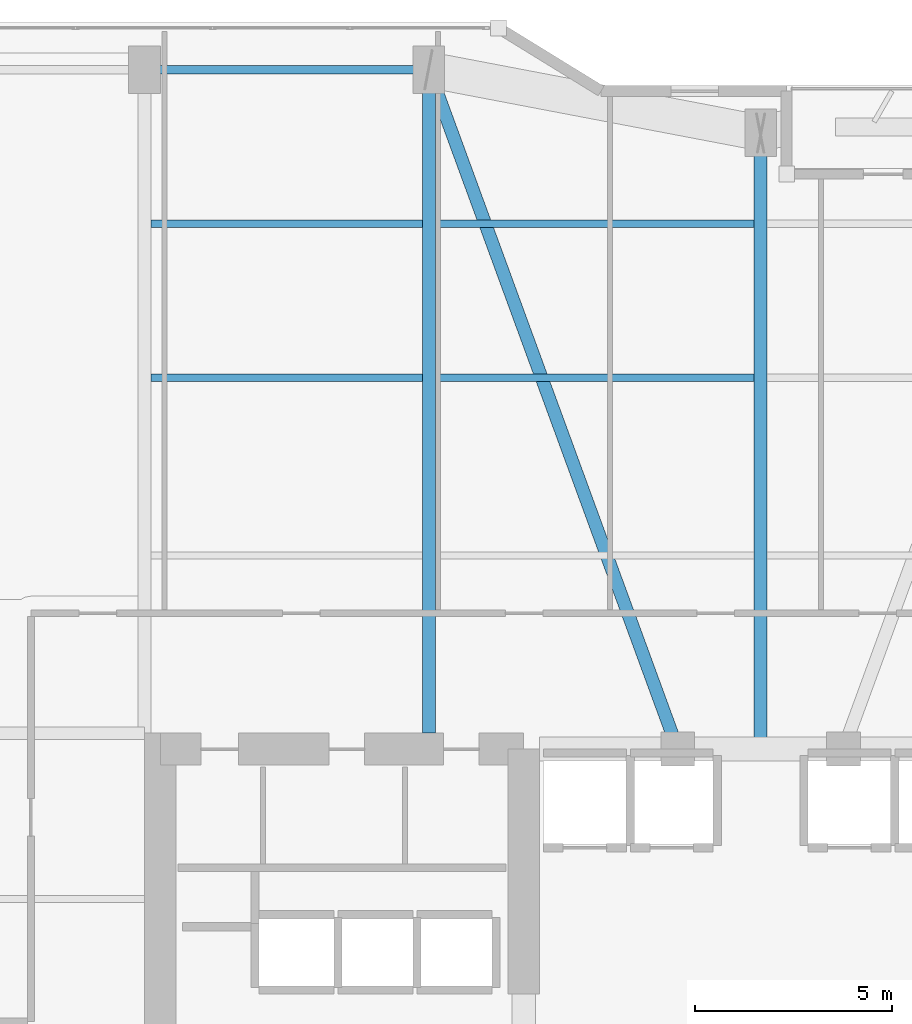
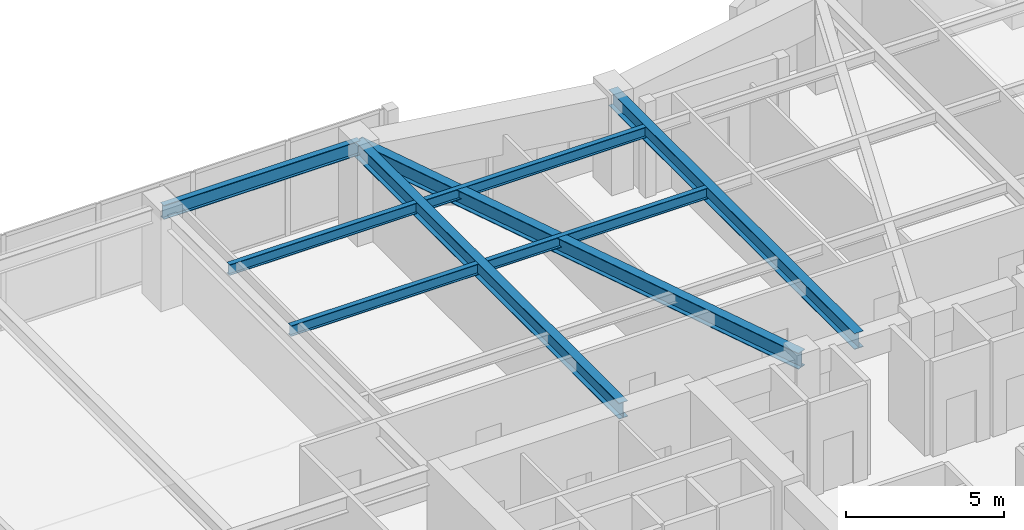
# One storey, part 18 of 30: 8 beams.
"""IFC4 building model written with IfcOpenShell, lengths in metres."""

import ifcopenshell
import ifcopenshell.guid

model = None  # the IFC model being written
_history = None  # IfcOwnerHistory: only IFC2X3 demands one
_inside = {}  # id of a spatial element -> (the spatial element, [elements in it])
_under = {}  # id of a project, library or spatial element -> (it, [spatial elements below it])
_declared = {}  # id of a project -> (the project, [libraries it declares])
_typed = {}  # id of a type object -> (the type object, [elements of that type])
_made_of = {}  # id of a material, layer set ... -> (it, [elements and type objects made of it])


def new_model(schema):
    """Start an empty IFC model of exactly this schema.

    Asked for "IFC4X3", IfcOpenShell would pick the latest addendum, in which some entities
    have other attributes; the version numbers below select the first issue.
    IFC2X3 requires an IfcOwnerHistory on every rooted entity: one is made here for all.
    """
    global model, _history
    if schema == "IFC4X3":
        model = ifcopenshell.file(schema_version=(4, 3, 0, 0))
    else:
        model = ifcopenshell.file(schema=schema)
    _inside.clear()
    _under.clear()
    _declared.clear()
    _typed.clear()
    _made_of.clear()
    _history = None
    if model.schema == "IFC2X3":
        org = make("IfcOrganization", Name="unknown")
        user = make(
            "IfcPersonAndOrganization",
            ThePerson=make("IfcPerson", FamilyName="unknown"),
            TheOrganization=org,
        )
        app = make(
            "IfcApplication",
            ApplicationDeveloper=org,
            Version="unknown",
            ApplicationFullName="unknown",
            ApplicationIdentifier="unknown",
        )
        _history = make(
            "IfcOwnerHistory",
            OwningUser=user,
            OwningApplication=app,
            ChangeAction="ADDED",
            CreationDate=0,
        )
    return model


def make(cls, **values):
    """One entity of the class cls with the attributes given. An attribute that is None is left unset."""
    return model.create_entity(
        cls, **{name: value for name, value in values.items() if value is not None}
    )


def rooted(cls, **values):
    """An entity with a GlobalId (a new one), such as an element, a storey or a relation."""
    return make(cls, GlobalId=ifcopenshell.guid.new(), OwnerHistory=_history, **values)


def si_unit(unit_type, name, prefix=None):
    """IfcSIUnit, for example si_unit("LENGTHUNIT", "METRE", prefix="MILLI")."""
    return make("IfcSIUnit", UnitType=unit_type, Prefix=prefix, Name=name)


def assignment(units):
    """IfcUnitAssignment: the units of a project."""
    return None if units is None else make("IfcUnitAssignment", Units=units)


def point(xyz):
    """IfcCartesianPoint."""
    return None if xyz is None else make("IfcCartesianPoint", Coordinates=xyz)


def direction(xyz):
    """IfcDirection."""
    return None if xyz is None else make("IfcDirection", DirectionRatios=xyz)


def frame(location, z_axis=None, x_axis=None):
    """IfcAxis2Placement3D, a coordinate frame: its origin and axes. An axis left out is left unset."""
    return make(
        "IfcAxis2Placement3D",
        Location=point(location),
        Axis=direction(z_axis),
        RefDirection=direction(x_axis),
    )


def frame_2d(location, x_axis=None):
    """IfcAxis2Placement2D, a coordinate frame in the plane: its origin and x axis."""
    return make(
        "IfcAxis2Placement2D", Location=point(location), RefDirection=direction(x_axis)
    )


def origin():
    """The frame at (0, 0, 0) with its axes left unset."""
    return frame((0.0, 0.0, 0.0))


def origin_2d():
    """The frame at (0, 0) in the plane with its x axis left unset."""
    return frame_2d((0.0, 0.0))


def place(relative_to, where):
    """IfcLocalPlacement: puts the frame where relative to a parent placement (None: the world)."""
    return make(
        "IfcLocalPlacement", PlacementRelTo=relative_to, RelativePlacement=where
    )


def context(
    kind, dimensions, precision=None, world=None, true_north=None, identifier=None
):
    """IfcGeometricRepresentationContext, for example the 3D "Model" context."""
    return make(
        "IfcGeometricRepresentationContext",
        ContextIdentifier=identifier,
        ContextType=kind,
        CoordinateSpaceDimension=dimensions,
        Precision=precision,
        WorldCoordinateSystem=world,
        TrueNorth=true_north,
    )


def subcontext(parent, identifier, kind, view, scale=None):
    """IfcGeometricRepresentationSubContext, for example "Body" below "Model"."""
    return make(
        "IfcGeometricRepresentationSubContext",
        ContextIdentifier=identifier,
        ContextType=kind,
        ParentContext=parent,
        TargetScale=scale,
        TargetView=view,
    )


def project(units=None, contexts=None):
    """IfcProject with its units and contexts."""
    return rooted(
        "IfcProject",
        Name="project",
        RepresentationContexts=contexts,
        UnitsInContext=assignment(units),
    )


def spatial(cls, under=None, at=None, **own):
    """A site, building, storey or space (cls), placed at a placement, below another one or the project."""
    s = rooted(cls, ObjectPlacement=at, **own)
    if under is not None:
        _under.setdefault(under.id(), (under, []))[1].append(s)
    return s


def profile(cls, at=None, kind="AREA", **sizes):
    """A parametric profile (cls). Its sizes go by their IFC names, for example OverallWidth=200.0."""
    return make(cls, ProfileType=kind, Position=at, **sizes)


def i_section(**sizes):
    """IfcIShapeProfileDef."""
    return profile("IfcIShapeProfileDef", **sizes)


def extrude(swept, where, along, depth):
    """IfcExtrudedAreaSolid: the profile swept, set in the frame where, extruded along a direction by depth."""
    return make(
        "IfcExtrudedAreaSolid",
        SweptArea=swept,
        Position=where,
        ExtrudedDirection=direction(along),
        Depth=depth,
    )


def shape(context_of_items, identifier, shape_type, items):
    """IfcShapeRepresentation: the items that make up one representation, for example the "Body"."""
    return make(
        "IfcShapeRepresentation",
        ContextOfItems=context_of_items,
        RepresentationIdentifier=identifier,
        RepresentationType=shape_type,
        Items=items,
    )


def material(Name=None, Category=None):
    """IfcMaterial."""
    return make("IfcMaterial", Name=Name, Category=Category)


def material_profile(
    of_material, cross_section, Name=None, Category=None, Priority=None
):
    """IfcMaterialProfile: a cross section and its material."""
    return make(
        "IfcMaterialProfile",
        Name=Name,
        Material=of_material,
        Profile=cross_section,
        Priority=Priority,
        Category=Category,
    )


def profile_set(profiles, Name=None, composite=None):
    """IfcMaterialProfileSet."""
    return make(
        "IfcMaterialProfileSet",
        Name=Name,
        MaterialProfiles=profiles,
        CompositeProfile=composite,
    )


def made_of(thing, what):
    """Note that an element or type object is made of a material, layer set ...; save() writes the relation."""
    if what is not None:
        _made_of.setdefault(what.id(), (what, []))[1].append(thing)
    return thing


def type_object(cls, material=None, **own):
    """A type object (cls), such as IfcWallType, which elements share."""
    return made_of(rooted(cls, **own), material)


def element(
    cls,
    number,
    at=None,
    inside=None,
    cuts=None,
    type_object=None,
    material=None,
    context=None,
    identifier="Body",
    shape_type=None,
    held_by="IfcProductDefinitionShape",
    body=None,
    shapes=None,
    **own,
):
    """One element of the class cls, such as IfcWall. Its Tag is "e" and its number.

    at: its placement. inside: the storey or other place that contains it. cuts: it is an
    opening in that element (IfcRelVoidsElement). A single representation is given by context,
    identifier, shape_type and body (its items); several are given by shapes. held_by: the class
    of the entity that holds the representations. save() writes the other relations.
    """
    e = rooted(cls, Tag="e%d" % number, ObjectPlacement=at, **own)
    if body is not None:
        shapes = [shape(context, identifier, shape_type, body)]
    if shapes is not None:
        e.Representation = make(held_by, Representations=shapes)
    if inside is not None:
        _inside.setdefault(inside.id(), (inside, []))[1].append(e)
    if cuts is not None:
        rooted(
            "IfcRelVoidsElement", RelatingBuildingElement=cuts, RelatedOpeningElement=e
        )
    if type_object is not None:
        _typed.setdefault(type_object.id(), (type_object, []))[1].append(e)
    return made_of(e, material)


def aggregate(whole, parts):
    """IfcRelAggregates: a whole, such as a stair, and the parts it consists of."""
    return rooted("IfcRelAggregates", RelatingObject=whole, RelatedObjects=parts)


def save(model, path):
    """Write the relations noted so far, then the file.

    IfcRelAggregates (storeys below a building ...), IfcRelContainedInSpatialStructure (elements
    in a storey), IfcRelDefinesByType, IfcRelAssociatesMaterial and IfcRelDeclares: one each for
    every whole, place, type object, material and project.
    """
    for whole, parts in _under.values():
        aggregate(whole, parts)
    for where, things in _inside.values():
        rooted(
            "IfcRelContainedInSpatialStructure",
            RelatedElements=things,
            RelatingStructure=where,
        )
    for kind, things in _typed.values():
        rooted("IfcRelDefinesByType", RelatedObjects=things, RelatingType=kind)
    for what, things in _made_of.values():
        rooted("IfcRelAssociatesMaterial", RelatedObjects=things, RelatingMaterial=what)
    for by, libraries in _declared.values():
        rooted("IfcRelDeclares", RelatingContext=by, RelatedDefinitions=libraries)
    model.write(path)


model = new_model("IFC4")

# Units and contexts
model_context = context("Model", 3, precision=1e-05, world=origin(), true_north=direction((0.0, 1.0)))
body_context = subcontext(model_context, "Body", "Model", "MODEL_VIEW")
ifc_project = project(units=[si_unit("LENGTHUNIT", "METRE"), si_unit("AREAUNIT", "SQUARE_METRE"), si_unit("VOLUMEUNIT", "CUBIC_METRE"), si_unit("PLANEANGLEUNIT", "RADIAN"), si_unit("MASSUNIT", "GRAM", prefix="KILO")], contexts=[model_context])

# Site, building, storey
site_placement = place(None, origin())
site = spatial("IfcSite", under=ifc_project, at=site_placement, CompositionType="ELEMENT")
building_placement = place(site_placement, origin())
building = spatial("IfcBuilding", under=site, at=building_placement, Name="Kiyonajd Concourse Tower", CompositionType="ELEMENT")
storey_placement = place(building_placement, frame((0.0, 0.0, 174.0)))
storey = spatial("IfcBuildingStorey", under=building, at=storey_placement, Name="L44", CompositionType="ELEMENT", Elevation=174.0)

# Beams
ifc_material = material(Name="Steel ASTM A992 Grade 50", Category="steel")
ifc_material_profile_1 = material_profile(ifc_material, i_section(OverallWidth=0.180908203125, OverallDepth=0.4169921875, WebThickness=0.010986328125, FlangeThickness=0.018310546875, at=origin_2d()), Name="W410X85")
ifc_profile_set_1 = profile_set([ifc_material_profile_1], Name="Steel ASTM A992 Grade 50")
beam_type_1 = type_object("IfcBeamType", Name="BM-JST-410", PredefinedType="JOIST", material=ifc_profile_set_1)
beam_1_placement = place(storey_placement, frame((32.5634765625, 53.39990234375, 3.471435546875), z_axis=(1.0, 0.0, 0.0), x_axis=(0.0, 1.0, 0.0)))
element("IfcBeam", 1, at=beam_1_placement, inside=storey, type_object=beam_type_1, Name="L44 Secondary Floor Joist", PredefinedType="JOIST", context=body_context, shape_type="SweptSolid", body=[
    extrude(i_section(OverallWidth=0.180908203125, OverallDepth=0.4169921875, WebThickness=0.010986328125, FlangeThickness=0.018310546875, at=origin_2d()), origin(), (0.0, 0.0, 1.0), 6.873046875),
])
beam_2_placement = place(storey_placement, frame((39.763427734375, 53.39990234375, 3.471435546875), z_axis=(1.0, 0.0, 0.0), x_axis=(0.0, 1.0, 0.0)))
element("IfcBeam", 2, at=beam_2_placement, inside=storey, type_object=beam_type_1, Name="L44 Secondary Floor Joist", PredefinedType="JOIST", context=body_context, shape_type="SweptSolid", body=[
    extrude(i_section(OverallWidth=0.180908203125, OverallDepth=0.4169921875, WebThickness=0.010986328125, FlangeThickness=0.018310546875, at=origin_2d()), origin(), (0.0, 0.0, 1.0), 8.072998046875),
])
beam_3_placement = place(storey_placement, frame((32.5634765625, 57.300048828125, 3.471435546875), z_axis=(1.0, 0.0, 0.0), x_axis=(0.0, 1.0, 0.0)))
element("IfcBeam", 3, at=beam_3_placement, inside=storey, type_object=beam_type_1, Name="L44 Secondary Floor Joist", PredefinedType="JOIST", context=body_context, shape_type="SweptSolid", body=[
    extrude(i_section(OverallWidth=0.180908203125, OverallDepth=0.4169921875, WebThickness=0.010986328125, FlangeThickness=0.018310546875, at=origin_2d()), origin(), (0.0, 0.0, 1.0), 6.873046875),
])
beam_4_placement = place(storey_placement, frame((39.763427734375, 57.300048828125, 3.471435546875), z_axis=(1.0, 0.0, 0.0), x_axis=(0.0, 1.0, 0.0)))
element("IfcBeam", 4, at=beam_4_placement, inside=storey, type_object=beam_type_1, Name="L44 Secondary Floor Joist", PredefinedType="JOIST", context=body_context, shape_type="SweptSolid", body=[
    extrude(i_section(OverallWidth=0.180908203125, OverallDepth=0.4169921875, WebThickness=0.010986328125, FlangeThickness=0.018310546875, at=origin_2d()), origin(), (0.0, 0.0, 1.0), 8.072998046875),
])
ifc_material_profile_2 = material_profile(ifc_material, i_section(OverallWidth=0.214111328125, OverallDepth=0.549072265625, WebThickness=0.0146484375, FlangeThickness=0.023681640625, at=origin_2d()), Name="W530X138")
ifc_profile_set_2 = profile_set([ifc_material_profile_2], Name="Steel ASTM A992 Grade 50")
beam_type_2 = type_object("IfcBeamType", Name="BM-SPAN-530A", PredefinedType="SPANDREL", material=ifc_profile_set_2)
beam_5_placement = place(storey_placement, frame((39.60009765625, 61.199951171875, 3.405517578125), z_axis=(-1.0, 0.0, 0.0), x_axis=(0.0, -1.0, 0.0)))
element("IfcBeam", 5, at=beam_5_placement, inside=storey, type_object=beam_type_2, Name="L44 Perimeter Bundled Tube Spandrel", PredefinedType="SPANDREL", context=body_context, shape_type="SweptSolid", body=[
    extrude(i_section(OverallWidth=0.214111328125, OverallDepth=0.549072265625, WebThickness=0.0146484375, FlangeThickness=0.023681640625, at=origin_2d()), origin(), (0.0, 0.0, 1.0), 7.2001953125),
])
ifc_material_profile_3 = material_profile(ifc_material, i_section(OverallWidth=0.326904296875, OverallDepth=0.6220703125, WebThickness=0.015380859375, FlangeThickness=0.0244140625, at=origin_2d()), Name="W610X195")
ifc_profile_set_3 = profile_set([ifc_material_profile_3], Name="Steel ASTM A992 Grade 50")
beam_type_3 = type_object("IfcBeamType", Name="BM-TWR-610A", PredefinedType="BEAM", material=ifc_profile_set_3)
beam_6_placement = place(storey_placement, frame((39.60009765625, 61.199951171875, 3.368896484375), z_axis=(0.343925269715, -0.938997022813, 0.0), x_axis=(0.938997022813, 0.343925269715, 0.0)))
element("IfcBeam", 6, at=beam_6_placement, inside=storey, type_object=beam_type_3, Name="L44 Core Tie Girder", PredefinedType="BEAM", context=body_context, shape_type="SweptSolid", body=[
    extrude(i_section(OverallWidth=0.326904296875, OverallDepth=0.6220703125, WebThickness=0.015380859375, FlangeThickness=0.0244140625, at=origin_2d()), origin(), (0.0, 0.0, 1.0), 18.3173828125),
])
beam_7_placement = place(storey_placement, frame((39.60009765625, 44.39990234375, 3.368896484375), z_axis=(0.0, 1.0, 0.0), x_axis=(-1.0, 0.0, 0.0)))
element("IfcBeam", 7, at=beam_7_placement, inside=storey, type_object=beam_type_3, Name="L44 North Lease Girder", PredefinedType="BEAM", context=body_context, shape_type="SweptSolid", body=[
    extrude(i_section(OverallWidth=0.326904296875, OverallDepth=0.6220703125, WebThickness=0.015380859375, FlangeThickness=0.0244140625, at=origin_2d()), origin(), (0.0, 0.0, 1.0), 16.800048828125),
])
beam_8_placement = place(storey_placement, frame((48.0, 44.0, 3.368896484375), z_axis=(0.0, 1.0, 0.0), x_axis=(-1.0, 0.0, 0.0)))
element("IfcBeam", 8, at=beam_8_placement, inside=storey, type_object=beam_type_3, Name="L44 North Ribbon Girder", PredefinedType="BEAM", context=body_context, shape_type="SweptSolid", body=[
    extrude(i_section(OverallWidth=0.326904296875, OverallDepth=0.6220703125, WebThickness=0.015380859375, FlangeThickness=0.0244140625, at=origin_2d()), origin(), (0.0, 0.0, 1.0), 15.60009765625),
])

save(model, "model.ifc")
